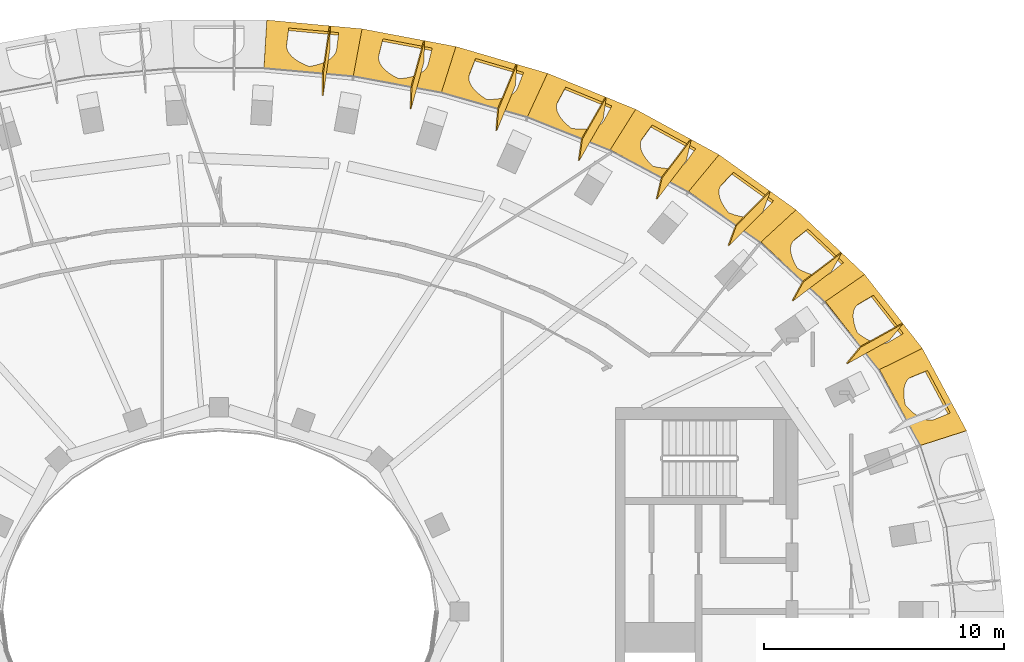
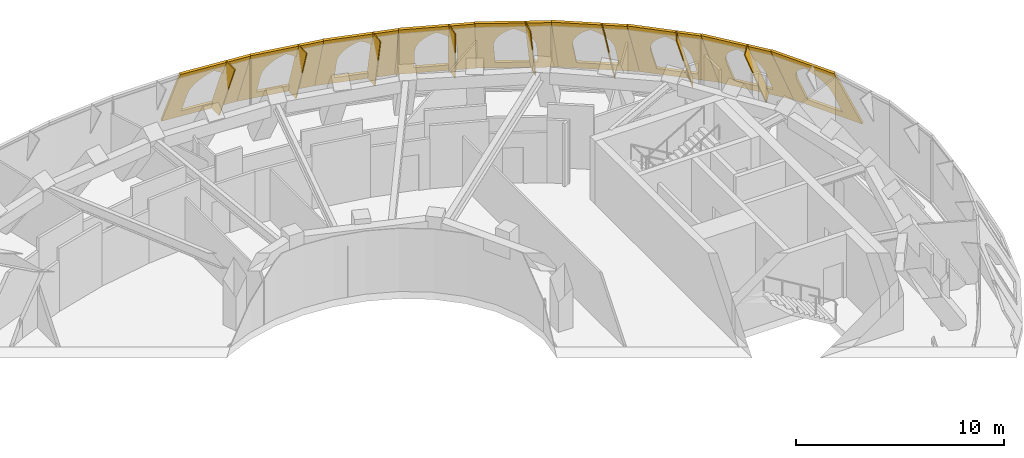
# One storey, part 13 of 13: 17 coverings.
"""IFC4 building model written with IfcOpenShell, lengths in metres."""

from ifc_helpers import new_model, si_unit, direction, frame, origin, place, context, subcontext, project, spatial, polyline, outline, extrude, material, layer, layer_set, type_object, element, save


model = new_model("IFC4")

# Units and contexts
model_context = context("Model", 3, precision=1e-05, world=origin(), true_north=direction((0.0, 1.0)))
body_context = subcontext(model_context, "Body", "Model", "MODEL_VIEW")
ifc_project = project(units=[si_unit("LENGTHUNIT", "METRE"), si_unit("AREAUNIT", "SQUARE_METRE"), si_unit("VOLUMEUNIT", "CUBIC_METRE"), si_unit("PLANEANGLEUNIT", "RADIAN"), si_unit("MASSUNIT", "GRAM", prefix="KILO")], contexts=[model_context])

# Site, building, storey
site_placement = place(None, origin())
site = spatial("IfcSite", under=ifc_project, at=site_placement, CompositionType="ELEMENT")
building_placement = place(site_placement, origin())
building = spatial("IfcBuilding", under=site, at=building_placement, Name="Noorbagh Ring Tower", CompositionType="ELEMENT")
storey_placement = place(building_placement, frame((0.0, 0.0, 347.0)))
storey = spatial("IfcBuildingStorey", under=building, at=storey_placement, Name="L76", CompositionType="ELEMENT", Elevation=347.0)

# Coverings
ifc_material_1 = material(Name="Aluminium 6063-T6 black anodised", Category="aluminium")
ifc_layer_1 = layer(ifc_material_1, 0.050048828125)
ifc_layer_set_1 = layer_set([ifc_layer_1], Name="Aluminium 6063-T6 black anodised")
covering_type_1 = type_object("IfcCoveringType", Name="STYLE-HEAD-FIN", PredefinedType="CLADDING", material=ifc_layer_set_1)
covering_1_placement = place(storey_placement, frame((28.46240234375, 11.977294921875, 0.0), z_axis=(0.758388473528, -0.626674691482, 0.179236587436), x_axis=(-0.391166048107, -0.217623103084, 0.894219943757)))
element("IfcCovering", 1, at=covering_1_placement, inside=storey, type_object=covering_type_1, Name="Fin rib F04 L76", ObjectType="FIN", PredefinedType="CLADDING", context=body_context, shape_type="SweptSolid", body=[
    extrude(outline(polyline([(0.0, 0.0), (4.4786481802036056, -2.220446049250313e-16), (4.853878341316884, 0.8180669263283444), (0.3751770304728771, 0.8178842414246023), (0.0, 0.0)])), origin(), (0.0, 0.0, -1.0), 0.050048828125),
])
covering_2_placement = place(storey_placement, frame((25.91015625, 14.92529296875, 0.0), z_axis=(0.858666056059, -0.472472389415, 0.198651567857), x_axis=(-0.356099462529, -0.271190813205, 0.8942307955)))
element("IfcCovering", 2, at=covering_2_placement, inside=storey, type_object=covering_type_1, Name="Fin rib F05 L76", ObjectType="FIN", PredefinedType="CLADDING", context=body_context, shape_type="SweptSolid", body=[
    extrude(outline(polyline([(0.0, 0.0), (4.478864327286876, 0.0), (4.847207850618184, 0.8212110930282253), (0.3682773146366782, 0.8210063602775113), (0.0, 0.0)])), origin(), (0.0, 0.0, -1.0), 0.050048828125),
])
covering_3_placement = place(storey_placement, frame((22.940673828125, 17.482666015625, 0.0), z_axis=(0.9193034568, -0.33604232368, 0.204833373774), x_axis=(-0.315411030488, -0.317840806041, 0.894143782544)))
element("IfcCovering", 3, at=covering_3_placement, inside=storey, type_object=covering_type_1, Name="Fin rib F06 L76", ObjectType="FIN", PredefinedType="CLADDING", context=body_context, shape_type="SweptSolid", body=[
    extrude(outline(polyline([(0.0, 0.0), (4.479040034743007, 0.0), (4.8450946792935445, 0.822054109770618), (0.3661316491966529, 0.8221115721118696), (0.0, 0.0)])), origin(), (0.0, 0.0, -1.0), 0.050048828125),
])
covering_4_placement = place(storey_placement, frame((19.648681640625, 19.639892578125, 0.0), z_axis=(0.953982686729, -0.224638531499, 0.198631728552), x_axis=(-0.270289196413, -0.357342424054, 0.894007909514)))
element("IfcCovering", 4, at=covering_4_placement, inside=storey, type_object=covering_type_1, Name="Fin rib F07 L76", ObjectType="FIN", PredefinedType="CLADDING", context=body_context, shape_type="SweptSolid", body=[
    extrude(outline(polyline([(0.0, 0.0), (4.4791549777732005, -2.220446049250313e-16), (4.848026152308753, 0.8211309170378556), (0.36878393273280546, 0.820909589870432), (0.0, 0.0)])), origin(), (0.0, 0.0, -1.0), 0.050048828125),
])
covering_5_placement = place(storey_placement, frame((16.113037109375, 21.399169921875, 0.0), z_axis=(0.973573118224, -0.139539254818, 0.180787665054), x_axis=(-0.221833910082, -0.389708220413, 0.893821693225)))
element("IfcCovering", 5, at=covering_5_placement, inside=storey, type_object=covering_type_1, Name="Fin rib F08 L76", ObjectType="FIN", PredefinedType="CLADDING", context=body_context, shape_type="SweptSolid", body=[
    extrude(outline(polyline([(0.0, 0.0), (4.47926263114978, -2.220446049250313e-16), (4.854766642688217, 0.8178925124472254), (0.3755040115384371, 0.8178925124472257), (0.0, 0.0)])), origin(), (0.0, 0.0, -1.0), 0.050048828125),
])
covering_6_placement = place(storey_placement, frame((12.397705078125, 22.7685546875, 0.0), z_axis=(0.985288966113, -0.078297558336, 0.151905054606), x_axis=(-0.170756697818, -0.415086650524, 0.893613575718)))
element("IfcCovering", 6, at=covering_6_placement, inside=storey, type_object=covering_type_1, Name="Fin rib F09 L76", ObjectType="FIN", PredefinedType="CLADDING", context=body_context, shape_type="SweptSolid", body=[
    extrude(outline(polyline([(0.0, 0.0), (4.479484583037786, 0.0), (4.863979043435264, 0.8135146503441781), (0.384595799911766, 0.813735940969576), (0.0, 0.0)])), origin(), (0.0, 0.0, -1.0), 0.050048828125),
])
covering_7_placement = place(storey_placement, frame((8.555419921875, 23.75634765625, 0.0), z_axis=(0.992880360929, -0.036384052314, 0.113423055942), x_axis=(-0.117945221911, -0.433465041525, 0.893418704977)))
element("IfcCovering", 7, at=covering_7_placement, inside=storey, type_object=covering_type_1, Name="Fin rib F10 L76", ObjectType="FIN", PredefinedType="CLADDING", context=body_context, shape_type="SweptSolid", body=[
    extrude(outline(polyline([(0.0, 0.0), (4.4793702020163035, 2.220446049250313e-16), (4.87312211069255, 0.8093153803602142), (0.39375190867624704, 0.809315380360214), (0.0, 0.0)])), origin(), (0.0, 0.0, -1.0), 0.050048828125),
])
covering_8_placement = place(storey_placement, frame((4.630615234375, 24.3701171875, 0.0), z_axis=(0.997700815482, -0.008255527638, 0.067267592869), x_axis=(-0.063904160046, -0.4451224172, 0.893186594187)))
element("IfcCovering", 8, at=covering_8_placement, inside=storey, type_object=covering_type_1, Name="Fin rib F11 L76", ObjectType="FIN", PredefinedType="CLADDING", context=body_context, shape_type="SweptSolid", body=[
    extrude(outline(polyline([(0.0, 0.0), (4.479431729096197, 0.0), (4.880482085238831, 0.8056302535006488), (0.4010347545410606, 0.8056357634095654), (0.0, 0.0)])), origin(), (0.0, 0.0, -1.0), 0.050048828125),
])
ifc_material_2 = material(Name="Red sandstone jali", Category="masonry")
ifc_layer_2 = layer(ifc_material_2, 0.1201171875)
ifc_layer_set_2 = layer_set([ifc_layer_2], Name="Red sandstone jali")
covering_type_2 = type_object("IfcCoveringType", Name="STYLE-HEAD-SKIN", PredefinedType="CLADDING", material=ifc_layer_set_2)
covering_9_placement = place(storey_placement, frame((31.10107421875, 7.529296875, 0.0), z_axis=(0.789087292879, 0.423762595619, 0.444709463326), x_axis=(-0.473120328565, 0.880997817646, -1.535086e-06)))
element("IfcCovering", 9, at=covering_9_placement, inside=storey, type_object=covering_type_2, Name="Head skin panel", ObjectType="HEAD SKIN", PredefinedType="CLADDING", context=body_context, shape_type="SweptSolid", body=[
    extrude(outline(polyline([(0.0, 0.0), (3.884521484375, 0.0), (3.95068359375, 4.4658203125), (0.366455078125, 4.4658203125), (0.0, 0.0)]), holes=[polyline([(0.965576171875, 0.550048828125), (1.044189453125, 2.177734375), (1.07421875, 2.439697265625), (1.137939453125, 2.697265625), (1.234375, 2.94580078125), (1.36181640625, 3.181396484375), (1.518310546875, 3.399658203125), (1.700927734375, 3.596923828125), (1.90673828125, 3.77001953125), (2.132080078125, 3.916015625), (2.34326171875, 3.77001953125), (2.5322265625, 3.596923828125), (2.69580078125, 3.399658203125), (2.831298828125, 3.181396484375), (2.935791015625, 2.94580078125), (3.00830078125, 2.697265625), (3.047119140625, 2.439697265625), (3.051513671875, 2.177734375), (2.97265625, 0.550048828125), (0.965576171875, 0.550048828125)])]), origin(), (0.0, 0.0, -1.0), 0.1201171875),
])
covering_10_placement = place(storey_placement, frame((29.26318359375, 10.95166015625, 0.0), z_axis=(0.706567962387, 0.551577734059, 0.443309956822), x_axis=(-0.615351346925, 0.788252954147, 1.0757789e-05)))
element("IfcCovering", 10, at=covering_10_placement, inside=storey, type_object=covering_type_2, Name="Head skin panel", ObjectType="HEAD SKIN", PredefinedType="CLADDING", context=body_context, shape_type="SweptSolid", body=[
    extrude(outline(polyline([(0.0, 0.0), (3.903564453125, 0.0), (4.020263671875, 4.46240234375), (0.406494140625, 4.46240234375), (0.0, 0.0)]), holes=[polyline([(0.97216796875, 0.550048828125), (1.06640625, 2.159912109375), (1.099365234375, 2.42431640625), (1.166259765625, 2.683837890625), (1.26611328125, 2.934326171875), (1.39697265625, 3.171875), (1.556884765625, 3.391845703125), (1.7431640625, 3.5908203125), (1.952392578125, 3.765380859375), (2.18115234375, 3.91259765625), (2.392578125, 3.765380859375), (2.581298828125, 3.5908203125), (2.744140625, 3.391845703125), (2.87841796875, 3.171875), (2.9814453125, 2.934326171875), (3.052001953125, 2.683837890625), (3.08837890625, 2.42431640625), (3.090087890625, 2.159912109375), (2.99560546875, 0.550048828125), (0.97216796875, 0.550048828125)])]), origin(), (0.0, 0.0, -1.0), 0.1201171875),
])
covering_11_placement = place(storey_placement, frame((26.861083984375, 14.028564453125, 0.0), z_axis=(0.615197839234, 0.652271200106, 0.442802326229), x_axis=(-0.727477581261, 0.686131451513, -2.595348e-06)))
element("IfcCovering", 11, at=covering_11_placement, inside=storey, type_object=covering_type_2, Name="Head skin panel", ObjectType="HEAD SKIN", PredefinedType="CLADDING", context=body_context, shape_type="SweptSolid", body=[
    extrude(outline(polyline([(0.0, 0.0), (3.92138671875, 0.0), (4.062255859375, 4.461181640625), (0.419921875, 4.461181640625), (0.0, 0.0)]), holes=[polyline([(0.9755859375, 0.550048828125), (1.07568359375, 2.14501953125), (1.10986328125, 2.4111328125), (1.178466796875, 2.6728515625), (1.280029296875, 2.92529296875), (1.4130859375, 3.164794921875), (1.5751953125, 3.386474609375), (1.763916015625, 3.587158203125), (1.975341796875, 3.762939453125), (2.20654296875, 3.911376953125), (2.419189453125, 3.762939453125), (2.608642578125, 3.587158203125), (2.77197265625, 3.386474609375), (2.90625, 3.164794921875), (3.00927734375, 2.92529296875), (3.0791015625, 2.6728515625), (3.11474609375, 2.4111328125), (3.115478515625, 2.14501953125), (3.01513671875, 0.550048828125), (0.9755859375, 0.550048828125)])]), origin(), (0.0, 0.0, -1.0), 0.1201171875),
])
covering_12_placement = place(storey_placement, frame((24.00830078125, 16.71923828125, 0.0), z_axis=(0.521443817269, 0.729186803852, 0.443151159899), x_axis=(-0.813415611869, 0.581682939617, -1.1242022e-05)))
element("IfcCovering", 12, at=covering_12_placement, inside=storey, type_object=covering_type_2, Name="Head skin panel", ObjectType="HEAD SKIN", PredefinedType="CLADDING", context=body_context, shape_type="SweptSolid", body=[
    extrude(outline(polyline([(0.0, 0.0), (3.937744140625, 0.0), (4.078857421875, 4.462158203125), (0.4111328125, 4.4619140625), (0.0, 0.0)]), holes=[polyline([(0.975830078125, 0.550048828125), (1.073974609375, 2.13330078125), (1.108154296875, 2.4013671875), (1.1767578125, 2.664794921875), (1.27880859375, 2.919189453125), (1.41259765625, 3.160400390625), (1.57568359375, 3.3837890625), (1.765380859375, 3.585693359375), (1.978515625, 3.7626953125), (2.2109375, 3.912109375), (2.425048828125, 3.7626953125), (2.6162109375, 3.585693359375), (2.78076171875, 3.3837890625), (2.916259765625, 3.160400390625), (3.02001953125, 2.919189453125), (3.0908203125, 2.664794921875), (3.126953125, 2.4013671875), (3.127685546875, 2.13330078125), (3.02978515625, 0.550048828125), (0.975830078125, 0.550048828125)])]), origin(), (0.0, 0.0, -1.0), 0.1201171875),
])
covering_13_placement = place(storey_placement, frame((20.805419921875, 19.009765625, 0.0), z_axis=(0.428645159556, 0.78679907719, 0.444083932745), x_axis=(-0.878141780594, 0.478400473435, 1.3899692e-05)))
element("IfcCovering", 13, at=covering_13_placement, inside=storey, type_object=covering_type_2, Name="Head skin panel", ObjectType="HEAD SKIN", PredefinedType="CLADDING", context=body_context, shape_type="SweptSolid", body=[
    extrude(outline(polyline([(0.0, 0.0), (3.951171875, 0.0), (4.073974609375, 4.46435546875), (0.385009765625, 4.46435546875), (0.0, 0.0)]), holes=[polyline([(0.97412109375, 0.550048828125), (1.0634765625, 2.12548828125), (1.096435546875, 2.39501953125), (1.164306640625, 2.66015625), (1.265625, 2.916015625), (1.39892578125, 3.158203125), (1.561767578125, 3.383056640625), (1.75146484375, 3.586181640625), (1.96484375, 3.764404296875), (2.197998046875, 3.914306640625), (2.414306640625, 3.764404296875), (2.607177734375, 3.586181640625), (2.773681640625, 3.383056640625), (2.9111328125, 3.158203125), (3.016845703125, 2.916015625), (3.089111328125, 2.66015625), (3.126953125, 2.39501953125), (3.129150390625, 2.12548828125), (3.039794921875, 0.550048828125), (0.97412109375, 0.550048828125)])]), origin(), (0.0, 0.0, -1.0), 0.1201171875),
])
covering_14_placement = place(storey_placement, frame((17.335693359375, 20.89990234375, 0.0), z_axis=(0.33839260244, 0.828933588975, 0.445375742136), x_axis=(-0.925823732903, 0.377955573127, -1.8338063e-05)))
element("IfcCovering", 14, at=covering_14_placement, inside=storey, type_object=covering_type_2, Name="Head skin panel", ObjectType="HEAD SKIN", PredefinedType="CLADDING", context=body_context, shape_type="SweptSolid", body=[
    extrude(outline(polyline([(0.0, 0.0), (3.9619140625, 0.0), (4.051025390625, 4.467529296875), (0.345458984375, 4.467529296875), (0.0, 0.0)]), holes=[polyline([(0.97021484375, 0.550048828125), (1.04638671875, 2.12060546875), (1.077392578125, 2.391357421875), (1.143310546875, 2.65771484375), (1.2431640625, 2.914794921875), (1.375, 3.158203125), (1.536865234375, 3.3837890625), (1.7255859375, 3.587890625), (1.9384765625, 3.766845703125), (2.17138671875, 3.91748046875), (2.389892578125, 3.766845703125), (2.585205078125, 3.587890625), (2.75439453125, 3.3837890625), (2.89404296875, 3.158203125), (3.002197265625, 2.914794921875), (3.0771484375, 2.65771484375), (3.116943359375, 2.391357421875), (3.12158203125, 2.12060546875), (3.045166015625, 0.550048828125), (0.97021484375, 0.550048828125)])]), origin(), (0.0, 0.0, -1.0), 0.1201171875),
])
covering_15_placement = place(storey_placement, frame((13.667724609375, 22.3974609375, 0.0), z_axis=(0.250873399214, 0.858737088475, 0.446803256977), x_axis=(-0.959878730523, 0.280415446382, 1.0957775e-05)))
element("IfcCovering", 15, at=covering_15_placement, inside=storey, type_object=covering_type_2, Name="Head skin panel", ObjectType="HEAD SKIN", PredefinedType="CLADDING", context=body_context, shape_type="SweptSolid", body=[
    extrude(outline(polyline([(0.0, 0.0), (3.969482421875, 0.0), (4.0146484375, 4.470947265625), (0.296630859375, 4.47119140625), (0.0, 0.0)]), holes=[polyline([(0.96484375, 0.550048828125), (1.02490234375, 2.117919921875), (1.052978515625, 2.389892578125), (1.116455078125, 2.656982421875), (1.2138671875, 2.914794921875), (1.343505859375, 3.158935546875), (1.503662109375, 3.385498046875), (1.69091796875, 3.59033203125), (1.902587890625, 3.769775390625), (2.135009765625, 3.921142578125), (2.35546875, 3.769775390625), (2.553466796875, 3.59033203125), (2.72509765625, 3.385498046875), (2.867919921875, 3.158935546875), (2.97900390625, 2.914794921875), (3.056640625, 2.656982421875), (3.099609375, 2.389892578125), (3.10693359375, 2.117919921875), (3.046875, 0.550048828125), (0.96484375, 0.550048828125)])]), origin(), (0.0, 0.0, -1.0), 0.1201171875),
])
covering_16_placement = place(storey_placement, frame((9.857421875, 23.510498046875, 0.0), z_axis=(0.165809822711, 0.878471832885, 0.448100816246), x_axis=(-0.982649266911, 0.185473497402, -7.64294e-07)))
element("IfcCovering", 16, at=covering_16_placement, inside=storey, type_object=covering_type_2, Name="Head skin panel", ObjectType="HEAD SKIN", PredefinedType="CLADDING", context=body_context, shape_type="SweptSolid", body=[
    extrude(outline(polyline([(0.0, 0.0), (3.975341796875, 0.0), (3.968505859375, 4.474365234375), (0.241943359375, 4.474365234375), (0.0, 0.0)]), holes=[polyline([(0.95849609375, 0.550048828125), (0.999755859375, 2.1171875), (1.02490234375, 2.389404296875), (1.085205078125, 2.6572265625), (1.1796875, 2.915771484375), (1.306884765625, 3.16064453125), (1.464599609375, 3.3876953125), (1.64990234375, 3.5927734375), (1.85986328125, 3.772705078125), (2.0908203125, 3.92431640625), (2.313720703125, 3.772705078125), (2.514404296875, 3.5927734375), (2.68896484375, 3.3876953125), (2.834716796875, 3.16064453125), (2.948974609375, 2.915771484375), (3.02978515625, 2.6572265625), (3.075927734375, 2.389404296875), (3.086669921875, 2.1171875), (3.04541015625, 0.550048828125), (0.95849609375, 0.550048828125)])]), origin(), (0.0, 0.0, -1.0), 0.1201171875),
])
covering_17_placement = place(storey_placement, frame((5.951171875, 24.247802734375, 0.0), z_axis=(0.082408798805, 0.889607650951, 0.44922935929), x_axis=(-0.995736905662, 0.092238900129, 2.339676e-06)))
element("IfcCovering", 17, at=covering_17_placement, inside=storey, type_object=covering_type_2, Name="Head skin panel", ObjectType="HEAD SKIN", PredefinedType="CLADDING", context=body_context, shape_type="SweptSolid", body=[
    extrude(outline(polyline([(0.0, 0.0), (3.978271484375, 0.0), (3.9150390625, 4.477294921875), (0.18310546875, 4.477294921875), (0.0, 0.0)]), holes=[polyline([(0.95166015625, 0.550048828125), (0.97265625, 2.117431640625), (0.994140625, 2.39013671875), (1.051025390625, 2.658203125), (1.142333984375, 2.917236328125), (1.2666015625, 3.162353515625), (1.42138671875, 3.3896484375), (1.6044921875, 3.59521484375), (1.8125, 3.775390625), (2.041748046875, 3.92724609375), (2.26708984375, 3.775390625), (2.47021484375, 3.59521484375), (2.647705078125, 3.3896484375), (2.79638671875, 3.162353515625), (2.9140625, 2.917236328125), (2.998291015625, 2.658203125), (3.048095703125, 2.39013671875), (3.0625, 2.117431640625), (3.04150390625, 0.550048828125), (0.95166015625, 0.550048828125)])]), origin(), (0.0, 0.0, -1.0), 0.1201171875),
])

save(model, "model.ifc")
